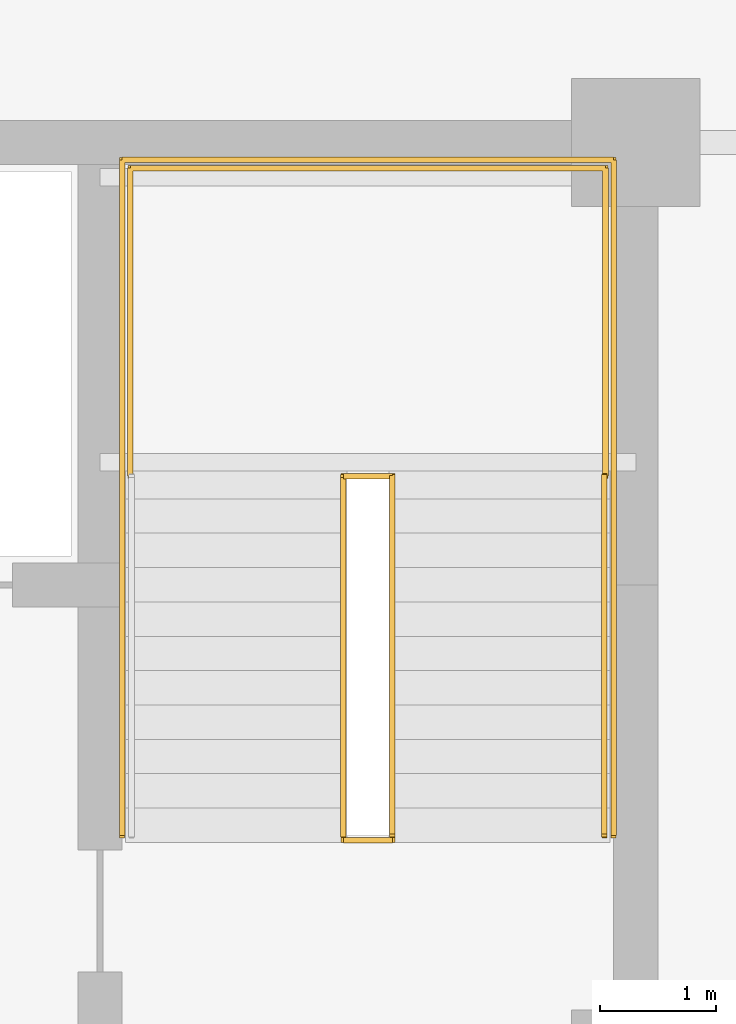
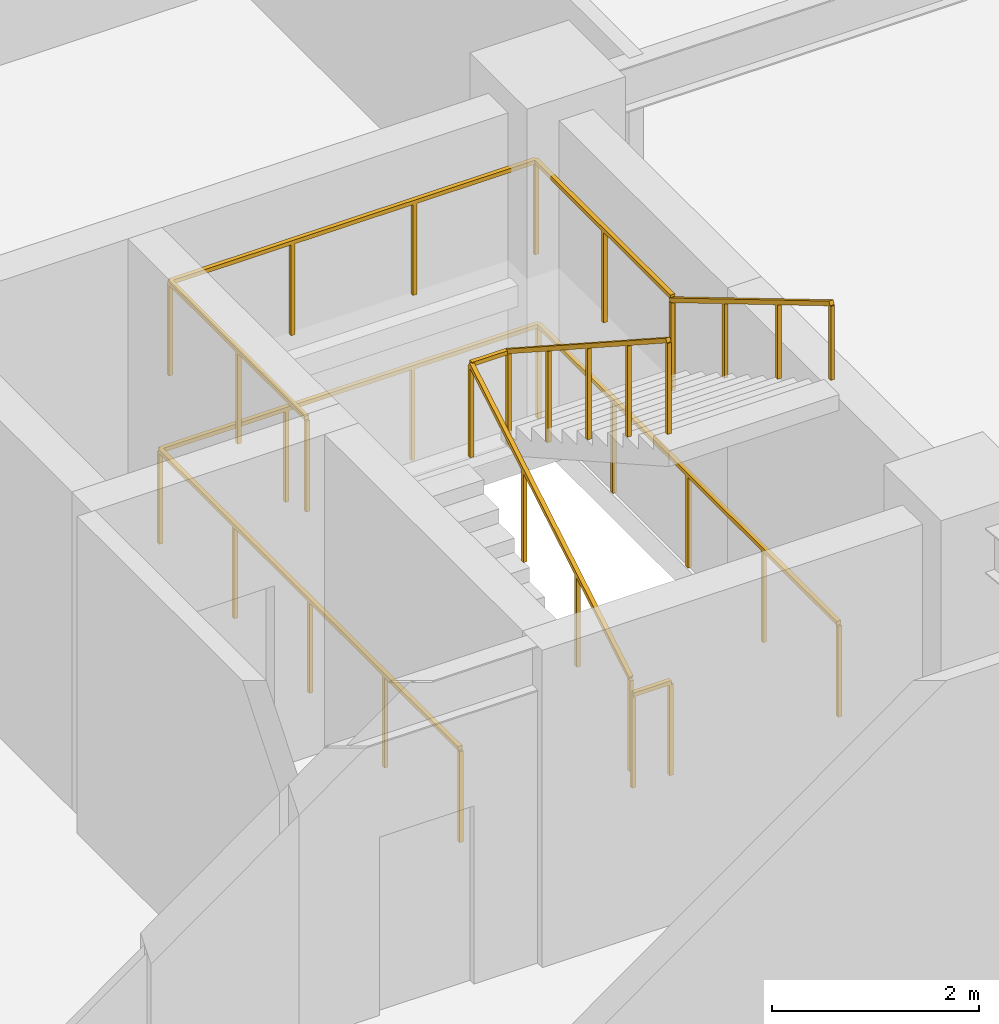
# One storey, part 8 of 8: 5 railings.
"""IFC4 building model written with IfcOpenShell, lengths in metres."""

from ifc_helpers import new_model, si_unit, direction, frame, origin, origin_2d, place, context, subcontext, project, spatial, rectangle, extrude, material, layer, layer_set, type_object, element, save


model = new_model("IFC4")

# Units and contexts
model_context = context("Model", 3, precision=1e-05, world=origin(), true_north=direction((0.0, 1.0)))
body_context = subcontext(model_context, "Body", "Model", "MODEL_VIEW")
ifc_project = project(units=[si_unit("LENGTHUNIT", "METRE"), si_unit("AREAUNIT", "SQUARE_METRE"), si_unit("VOLUMEUNIT", "CUBIC_METRE"), si_unit("PLANEANGLEUNIT", "RADIAN"), si_unit("MASSUNIT", "GRAM", prefix="KILO")], contexts=[model_context])

# Site, building, storey
site_placement = place(None, origin())
site = spatial("IfcSite", under=ifc_project, at=site_placement, CompositionType="ELEMENT")
building_placement = place(site_placement, origin())
building = spatial("IfcBuilding", under=site, at=building_placement, Name="Taldren Reach Tower", CompositionType="ELEMENT")
storey_placement = place(building_placement, frame((0.0, 0.0, -4.0)))
storey = spatial("IfcBuildingStorey", under=building, at=storey_placement, Name="B1", CompositionType="ELEMENT", Elevation=-4.0)

# Railings
ifc_material_1 = material(Name="Steel Gr 350 (C350L0)", Category="steel")
ifc_layer_1 = layer(ifc_material_1, 0.050048828125)
ifc_layer_set_1 = layer_set([ifc_layer_1], Name="Steel Gr 350 (C350L0)")
railing_type_1 = type_object("IfcRailingType", Name="RL-STAIR-GR", PredefinedType="GUARDRAIL", material=ifc_layer_set_1)
railing_1_placement = place(storey_placement, frame((46.659912109375, 29.135009765625, 2.0)))
element("IfcRailing", 1, at=railing_1_placement, inside=storey, type_object=railing_type_1, Name="Stair half-landing perimeter guard ST2-B1", PredefinedType="GUARDRAIL", context=body_context, shape_type="SweptSolid", body=[
    extrude(rectangle(XDim=0.047852, YDim=0.047852, at=origin_2d()), frame((0.0, 0.0, 1.09619140625), z_axis=(0.0, 1.0, 0.0), x_axis=(-1.0, 0.0, 0.0)), (0.0, 0.0, 1.0), 2.64501953125),
    extrude(rectangle(XDim=0.047852, YDim=0.047852, at=origin_2d()), frame((0.0, 2.64501953125, 1.09619140625), z_axis=(1.0, 0.0, 0.0), x_axis=(0.0, 1.0, 0.0)), (0.0, 0.0, 1.0), 4.080078125),
    extrude(rectangle(XDim=0.047852, YDim=0.047852, at=origin_2d()), frame((4.080078125, 2.64501953125, 1.09619140625), z_axis=(0.0, -1.0, 0.0), x_axis=(1.0, 0.0, 0.0)), (0.0, 0.0, 1.0), 2.64501953125),
    extrude(rectangle(XDim=0.041992, YDim=0.041992, at=origin_2d()), origin(), (0.0, 0.0, 1.0), 1.072021484375),
    extrude(rectangle(XDim=0.041992, YDim=0.041992, at=origin_2d()), frame((0.0, 1.322509765625, 0.0)), (0.0, 0.0, 1.0), 1.072021484375),
    extrude(rectangle(XDim=0.041992, YDim=0.041992, at=origin_2d()), frame((0.0, 2.64501953125, 0.0)), (0.0, 0.0, 1.0), 1.072021484375),
    extrude(rectangle(XDim=0.041992, YDim=0.041992, at=origin_2d()), frame((1.360107421875, 2.64501953125, 0.0)), (0.0, 0.0, 1.0), 1.072021484375),
    extrude(rectangle(XDim=0.041992, YDim=0.041992, at=origin_2d()), frame((2.719970703125, 2.64501953125, 0.0)), (0.0, 0.0, 1.0), 1.072021484375),
    extrude(rectangle(XDim=0.041992, YDim=0.041992, at=origin_2d()), frame((4.080078125, 2.64501953125, 0.0)), (0.0, 0.0, 1.0), 1.072021484375),
    extrude(rectangle(XDim=0.041992, YDim=0.041992, at=origin_2d()), frame((4.080078125, 1.322509765625, 0.0)), (0.0, 0.0, 1.0), 1.072021484375),
    extrude(rectangle(XDim=0.041992, YDim=0.041992, at=origin_2d()), frame((4.080078125, 0.0, 0.0)), (0.0, 0.0, 1.0), 1.072021484375),
])
railing_2_placement = place(storey_placement, frame((48.489990234375, 26.050048828125, 0.166748046875)))
element("IfcRailing", 2, at=railing_2_placement, inside=storey, type_object=railing_type_1, Name="Stairwell inner guard ST2-B1", PredefinedType="GUARDRAIL", context=body_context, shape_type="SweptSolid", body=[
    extrude(rectangle(XDim=0.047852, YDim=0.047852, at=origin_2d()), frame((0.0, 0.0, 1.09619140625), z_axis=(0.0, 0.859664290046, 0.510859382238), x_axis=(-1.0, 0.0, 0.0)), (0.0, 0.0, 1.0), 3.588623046875),
    extrude(rectangle(XDim=0.047852, YDim=0.047852, at=origin_2d()), frame((0.0, 3.0849609375, 2.92919921875), z_axis=(1.0, 0.0, 0.0), x_axis=(0.0, 1.0, 0.0)), (0.0, 0.0, 1.0), 0.419921875),
    extrude(rectangle(XDim=0.047852, YDim=0.047852, at=origin_2d()), frame((0.419921875, 3.0849609375, 2.92919921875), z_axis=(0.0, -0.839092365422, 0.543988972581), x_axis=(1.0, 0.0, 0.0)), (0.0, 0.0, 1.0), 3.676513671875),
    extrude(rectangle(XDim=0.041992, YDim=0.041992, at=origin_2d()), origin(), (0.0, 0.0, 1.0), 1.072021484375),
    extrude(rectangle(XDim=0.041992, YDim=0.041992, at=origin_2d()), frame((0.0, 1.0283203125, 0.611083984375)), (0.0, 0.0, 1.0), 1.072021484375),
    extrude(rectangle(XDim=0.041992, YDim=0.041992, at=origin_2d()), frame((0.0, 2.056640625, 1.22216796875)), (0.0, 0.0, 1.0), 1.072021484375),
    extrude(rectangle(XDim=0.041992, YDim=0.041992, at=origin_2d()), frame((0.0, 3.0849609375, 1.833251953125)), (0.0, 0.0, 1.0), 1.072021484375),
    extrude(rectangle(XDim=0.041992, YDim=0.041992, at=origin_2d()), frame((0.419921875, 3.0849609375, 1.833251953125)), (0.0, 0.0, 1.0), 1.072021484375),
    extrude(rectangle(XDim=0.041992, YDim=0.041992, at=origin_2d()), frame((0.419921875, 2.313720703125, 2.333251953125)), (0.0, 0.0, 1.0), 1.072021484375),
    extrude(rectangle(XDim=0.041992, YDim=0.041992, at=origin_2d()), frame((0.419921875, 1.54248046875, 2.833251953125)), (0.0, 0.0, 1.0), 1.072021484375),
    extrude(rectangle(XDim=0.041992, YDim=0.041992, at=origin_2d()), frame((0.419921875, 0.771240234375, 3.333251953125)), (0.0, 0.0, 1.0), 1.072021484375),
    extrude(rectangle(XDim=0.041992, YDim=0.041992, at=origin_2d()), frame((0.419921875, 0.0, 3.833251953125)), (0.0, 0.0, 1.0), 1.072021484375),
])
railing_3_placement = place(storey_placement, frame((48.489990234375, 26.010009765625, 0.0)))
element("IfcRailing", 3, at=railing_3_placement, inside=storey, type_object=railing_type_1, Name="Stairwell landing slot guard ST2-B1", PredefinedType="GUARDRAIL", context=body_context, shape_type="SweptSolid", body=[
    extrude(rectangle(XDim=0.047852, YDim=0.047852, at=origin_2d()), frame((0.0, 0.0, 1.09619140625), z_axis=(1.0, 0.0, 0.0), x_axis=(0.0, 1.0, 0.0)), (0.0, 0.0, 1.0), 0.419921875),
    extrude(rectangle(XDim=0.041992, YDim=0.041992, at=origin_2d()), origin(), (0.0, 0.0, 1.0), 1.072021484375),
    extrude(rectangle(XDim=0.041992, YDim=0.041992, at=origin_2d()), frame((0.419921875, 0.0, 0.0)), (0.0, 0.0, 1.0), 1.072021484375),
])
railing_4_placement = place(storey_placement, frame((46.590087890625, 26.050048828125, 0.0)))
element("IfcRailing", 4, at=railing_4_placement, inside=storey, type_object=railing_type_1, Name="Stairwell floor opening guard ST2-B1", PredefinedType="GUARDRAIL", context=body_context, shape_type="SweptSolid", body=[
    extrude(rectangle(XDim=0.047852, YDim=0.047852, at=origin_2d()), frame((0.0, 0.0, 1.09619140625), z_axis=(0.0, 1.0, 0.0), x_axis=(-1.0, 0.0, 0.0)), (0.0, 0.0, 1.0), 5.800048828125),
    extrude(rectangle(XDim=0.047852, YDim=0.047852, at=origin_2d()), frame((0.0, 5.800048828125, 1.09619140625), z_axis=(1.0, 0.0, 0.0), x_axis=(0.0, 1.0, 0.0)), (0.0, 0.0, 1.0), 4.219970703125),
    extrude(rectangle(XDim=0.047852, YDim=0.047852, at=origin_2d()), frame((4.219970703125, 5.800048828125, 1.09619140625), z_axis=(0.0, -1.0, 0.0), x_axis=(1.0, 0.0, 0.0)), (0.0, 0.0, 1.0), 5.800048828125),
    extrude(rectangle(XDim=0.041992, YDim=0.041992, at=origin_2d()), origin(), (0.0, 0.0, 1.0), 1.072021484375),
    extrude(rectangle(XDim=0.041992, YDim=0.041992, at=origin_2d()), frame((0.0, 1.449951171875, 0.0)), (0.0, 0.0, 1.0), 1.072021484375),
    extrude(rectangle(XDim=0.041992, YDim=0.041992, at=origin_2d()), frame((0.0, 2.89990234375, 0.0)), (0.0, 0.0, 1.0), 1.072021484375),
    extrude(rectangle(XDim=0.041992, YDim=0.041992, at=origin_2d()), frame((0.0, 4.35009765625, 0.0)), (0.0, 0.0, 1.0), 1.072021484375),
    extrude(rectangle(XDim=0.041992, YDim=0.041992, at=origin_2d()), frame((0.0, 5.800048828125, 0.0)), (0.0, 0.0, 1.0), 1.072021484375),
    extrude(rectangle(XDim=0.041992, YDim=0.041992, at=origin_2d()), frame((1.40673828125, 5.800048828125, 0.0)), (0.0, 0.0, 1.0), 1.072021484375),
    extrude(rectangle(XDim=0.041992, YDim=0.041992, at=origin_2d()), frame((2.813232421875, 5.800048828125, 0.0)), (0.0, 0.0, 1.0), 1.072021484375),
    extrude(rectangle(XDim=0.041992, YDim=0.041992, at=origin_2d()), frame((4.219970703125, 5.800048828125, 0.0)), (0.0, 0.0, 1.0), 1.072021484375),
    extrude(rectangle(XDim=0.041992, YDim=0.041992, at=origin_2d()), frame((4.219970703125, 4.35009765625, 0.0)), (0.0, 0.0, 1.0), 1.072021484375),
    extrude(rectangle(XDim=0.041992, YDim=0.041992, at=origin_2d()), frame((4.219970703125, 2.89990234375, 0.0)), (0.0, 0.0, 1.0), 1.072021484375),
    extrude(rectangle(XDim=0.041992, YDim=0.041992, at=origin_2d()), frame((4.219970703125, 1.449951171875, 0.0)), (0.0, 0.0, 1.0), 1.072021484375),
    extrude(rectangle(XDim=0.041992, YDim=0.041992, at=origin_2d()), frame((4.219970703125, 0.0, 0.0)), (0.0, 0.0, 1.0), 1.072021484375),
])
ifc_material_2 = material(Name="Stainless Steel Gr 316", Category="steel")
ifc_layer_2 = layer(ifc_material_2, 0.048095703125)
ifc_layer_set_2 = layer_set([ifc_layer_2], Name="Stainless Steel Gr 316")
railing_type_2 = type_object("IfcRailingType", Name="RL-STAIR-HR", PredefinedType="HANDRAIL", material=ifc_layer_set_2)
railing_5_placement = place(storey_placement, frame((50.72998046875, 29.135009765625, 2.166748046875)))
element("IfcRailing", 5, at=railing_5_placement, inside=storey, type_object=railing_type_2, Name="Stair flight handrail ST2-B1-2", PredefinedType="HANDRAIL", context=body_context, shape_type="SweptSolid", body=[
    extrude(rectangle(XDim=0.047852, YDim=0.047852, at=origin_2d()), frame((0.0, 0.0, 0.89599609375), z_axis=(0.0, -0.859664290046, 0.510859382238), x_axis=(1.0, 0.0, 0.0)), (0.0, 0.0, 1.0), 3.588623046875),
    extrude(rectangle(XDim=0.041992, YDim=0.041992, at=origin_2d()), origin(), (0.0, 0.0, 1.0), 0.871826171875),
    extrude(rectangle(XDim=0.041992, YDim=0.041992, at=origin_2d()), frame((0.0, -1.0283203125, 0.611083984375)), (0.0, 0.0, 1.0), 0.871826171875),
    extrude(rectangle(XDim=0.041992, YDim=0.041992, at=origin_2d()), frame((0.0, -2.056640625, 1.22216796875)), (0.0, 0.0, 1.0), 0.871826171875),
    extrude(rectangle(XDim=0.041992, YDim=0.041992, at=origin_2d()), frame((0.0, -3.0849609375, 1.833251953125)), (0.0, 0.0, 1.0), 0.871826171875),
])

save(model, "model.ifc")
